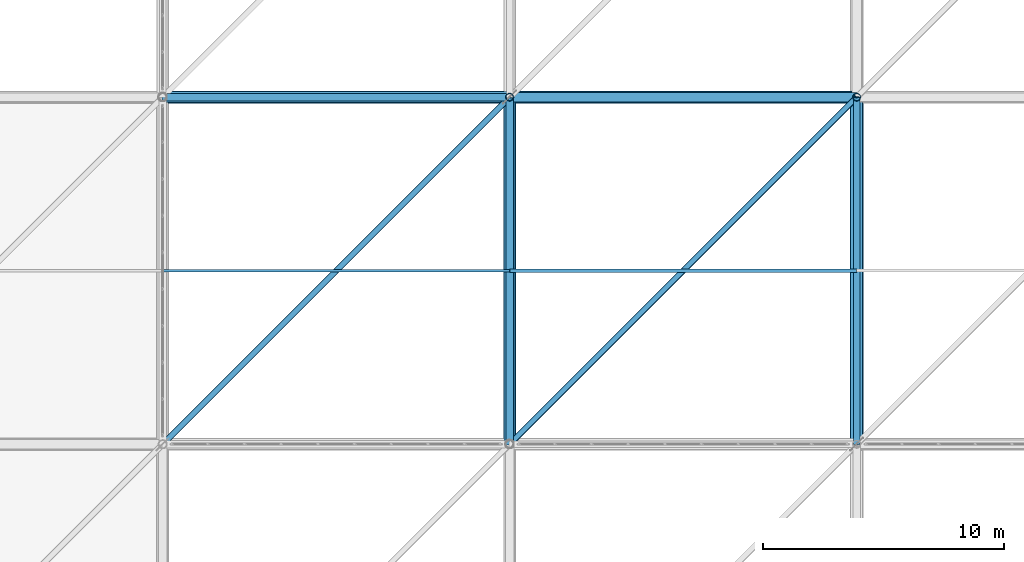
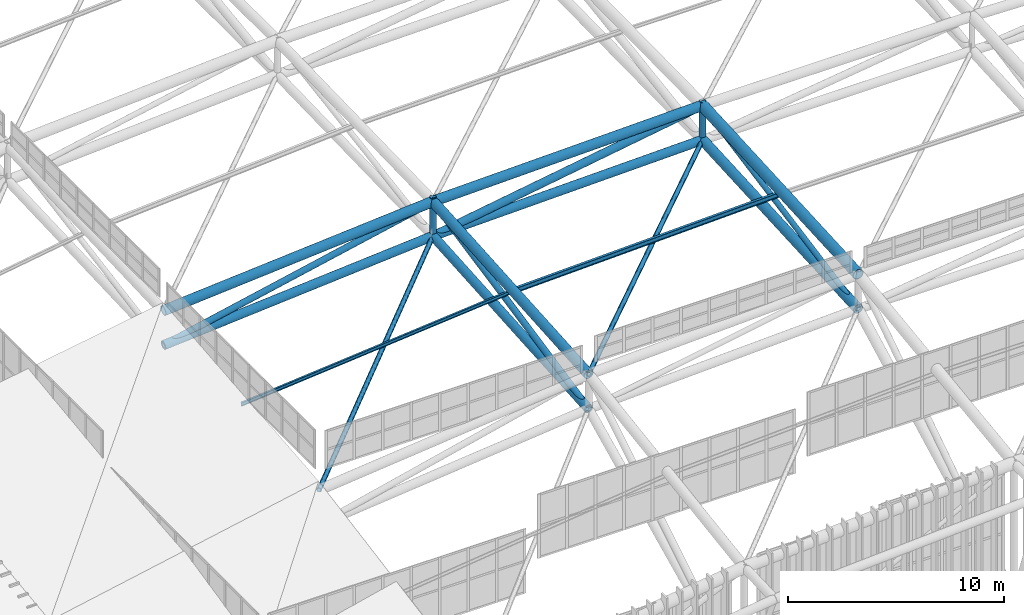
# One storey, part 74 of 397: 10 members, 8 beams.
"""IFC4 building model written with IfcOpenShell, lengths in metres."""

from ifc_helpers import new_model, si_unit, direction, frame, origin, origin_2d, place, context, subcontext, project, spatial, hollow_circle, i_section, extrude, material, material_profile, profile_set, type_object, element, save


model = new_model("IFC4")

# Units and contexts
model_context = context("Model", 3, precision=1e-05, world=origin(), true_north=direction((0.0, 1.0)))
body_context = subcontext(model_context, "Body", "Model", "MODEL_VIEW")
ifc_project = project(units=[si_unit("LENGTHUNIT", "METRE"), si_unit("AREAUNIT", "SQUARE_METRE"), si_unit("VOLUMEUNIT", "CUBIC_METRE"), si_unit("PLANEANGLEUNIT", "RADIAN"), si_unit("MASSUNIT", "GRAM", prefix="KILO")], contexts=[model_context])

# Site, building, storey
site_placement = place(None, origin())
site = spatial("IfcSite", under=ifc_project, at=site_placement, CompositionType="ELEMENT")
building_placement = place(site_placement, origin())
building = spatial("IfcBuilding", under=site, at=building_placement, Name="Qandorah Velis Arena", CompositionType="ELEMENT")
storey_placement = place(building_placement, frame((0.0, 0.0, 27.5)))
storey = spatial("IfcBuildingStorey", under=building, at=storey_placement, Name="RF", CompositionType="ELEMENT", Elevation=27.5)

# Members
ifc_material_1 = material(Name="Steel S355", Category="steel")
ifc_material_profile_1 = material_profile(ifc_material_1, i_section(OverallWidth=0.10009765625, OverallDepth=0.199951171875, WebThickness=0.005615234375, FlangeThickness=0.008544921875, FilletRadius=0.011962890625, at=origin_2d()), Name="IPE 200")
ifc_profile_set_1 = profile_set([ifc_material_profile_1], Name="Steel S355")
member_type_1 = type_object("IfcMemberType", Name="STR-PRL-IPE200", PredefinedType="PURLIN", material=ifc_profile_set_1)
member_1_placement = place(storey_placement, frame((28.800048828125, 36.0, 7.94140625), z_axis=(0.995870339453, 0.0, 0.090786931865), x_axis=(0.0, 1.0, 0.0)))
element("IfcMember", 1, at=member_1_placement, inside=storey, type_object=member_type_1, Name="Arena roof purlin PRL-1.1", PredefinedType="PURLIN", context=body_context, shape_type="SweptSolid", body=[
    extrude(i_section(OverallWidth=0.10009765625, OverallDepth=0.199951171875, WebThickness=0.005615234375, FlangeThickness=0.008544921875, FilletRadius=0.011962890625, at=origin_2d()), origin(), (0.0, 0.0, 1.0), 14.459716796875),
])
ifc_material_profile_2 = material_profile(ifc_material_1, i_section(OverallWidth=0.135009765625, OverallDepth=0.27001953125, WebThickness=0.006591796875, FlangeThickness=0.01025390625, FilletRadius=0.014892578125, at=origin_2d()), Name="IPE 270")
ifc_profile_set_2 = profile_set([ifc_material_profile_2], Name="Steel S355")
member_type_2 = type_object("IfcMemberType", Name="STR-PRL-IPE270", PredefinedType="PURLIN", material=ifc_profile_set_2)
member_2_placement = place(storey_placement, frame((43.199951171875, 36.0, 9.254150390625), z_axis=(0.99941176079, 0.0, 0.034294786699), x_axis=(0.0, 1.0, 0.0)))
element("IfcMember", 2, at=member_2_placement, inside=storey, type_object=member_type_2, Name="Arena roof purlin PRL-2.1", PredefinedType="PURLIN", context=body_context, shape_type="SweptSolid", body=[
    extrude(i_section(OverallWidth=0.135009765625, OverallDepth=0.27001953125, WebThickness=0.006591796875, FlangeThickness=0.01025390625, FilletRadius=0.014892578125, at=origin_2d()), origin(), (0.0, 0.0, 1.0), 14.40869140625),
])

# Beams
ifc_material_profile_3 = material_profile(ifc_material_1, hollow_circle(Radius=0.228515625, WallThickness=0.01611328125, at=origin_2d()), Name="CHS 457x16")
ifc_profile_set_3 = profile_set([ifc_material_profile_3], Name="Steel S355")
beam_type_1 = type_object("IfcBeamType", Name="STR-SFC-CHS457X16", PredefinedType="USERDEFINED", material=ifc_profile_set_3)
beam_1_placement = place(storey_placement, frame((43.199951171875, 28.800048828125, 7.009521484375), z_axis=(0.0, 0.997455093125, 0.0712975259), x_axis=(-1.0, 0.0, 0.0)))
element("IfcBeam", 3, at=beam_1_placement, inside=storey, type_object=beam_type_1, Name="Space frame roof truss bottom chord Y 2.1", ObjectType="ROOF TRUSS", PredefinedType="USERDEFINED", context=body_context, shape_type="SweptSolid", body=[
    extrude(hollow_circle(Radius=0.228515625, WallThickness=0.01611328125, at=origin_2d()), origin(), (0.0, 0.0, 1.0), 14.4365234375),
])
beam_2_placement = place(storey_placement, frame((28.800048828125, 43.199951171875, 6.90771484375), z_axis=(0.996929199686, 0.0, 0.078308178464), x_axis=(0.0, 1.0, 0.0)))
element("IfcBeam", 4, at=beam_2_placement, inside=storey, type_object=beam_type_1, Name="Space frame roof truss bottom chord X 1.2", ObjectType="ROOF TRUSS", PredefinedType="USERDEFINED", context=body_context, shape_type="SweptSolid", body=[
    extrude(hollow_circle(Radius=0.228515625, WallThickness=0.01611328125, at=origin_2d()), origin(), (0.0, 0.0, 1.0), 14.4443359375),
])
beam_3_placement = place(storey_placement, frame((43.199951171875, 43.199951171875, 8.038818359375), z_axis=(0.999643675871, 0.0, 0.026693094442), x_axis=(0.0, 1.0, 0.0)))
element("IfcBeam", 5, at=beam_3_placement, inside=storey, type_object=beam_type_1, Name="Space frame roof truss bottom chord X 2.2", ObjectType="ROOF TRUSS", PredefinedType="USERDEFINED", context=body_context, shape_type="SweptSolid", body=[
    extrude(hollow_circle(Radius=0.228515625, WallThickness=0.01611328125, at=origin_2d()), origin(), (0.0, 0.0, 1.0), 14.4052734375),
])
ifc_material_profile_4 = material_profile(ifc_material_1, hollow_circle(Radius=0.25390625, WallThickness=0.02001953125, at=origin_2d()), Name="CHS 508x20")
ifc_profile_set_4 = profile_set([ifc_material_profile_4], Name="Steel S355")
beam_type_2 = type_object("IfcBeamType", Name="STR-SFC-CHS508X20", PredefinedType="USERDEFINED", material=ifc_profile_set_4)
beam_4_placement = place(storey_placement, frame((43.199951171875, 28.800048828125, 8.95947265625), z_axis=(0.0, 0.997455093125, 0.0712975259), x_axis=(-1.0, 0.0, 0.0)))
element("IfcBeam", 6, at=beam_4_placement, inside=storey, type_object=beam_type_2, Name="Space frame roof truss top chord Y 2.1", ObjectType="ROOF TRUSS", PredefinedType="USERDEFINED", context=body_context, shape_type="SweptSolid", body=[
    extrude(hollow_circle(Radius=0.25390625, WallThickness=0.02001953125, at=origin_2d()), origin(), (0.0, 0.0, 1.0), 14.4365234375),
])
beam_5_placement = place(storey_placement, frame((28.800048828125, 43.199951171875, 8.857666015625), z_axis=(0.996929199686, 0.0, 0.078308178464), x_axis=(0.0, 1.0, 0.0)))
element("IfcBeam", 7, at=beam_5_placement, inside=storey, type_object=beam_type_2, Name="Space frame roof truss top chord X 1.2", ObjectType="ROOF TRUSS", PredefinedType="USERDEFINED", context=body_context, shape_type="SweptSolid", body=[
    extrude(hollow_circle(Radius=0.25390625, WallThickness=0.02001953125, at=origin_2d()), origin(), (0.0, 0.0, 1.0), 14.4443359375),
])
beam_6_placement = place(storey_placement, frame((43.199951171875, 43.199951171875, 9.98876953125), z_axis=(0.999643675871, 0.0, 0.026693094442), x_axis=(0.0, 1.0, 0.0)))
element("IfcBeam", 8, at=beam_6_placement, inside=storey, type_object=beam_type_2, Name="Space frame roof truss top chord X 2.2", ObjectType="ROOF TRUSS", PredefinedType="USERDEFINED", context=body_context, shape_type="SweptSolid", body=[
    extrude(hollow_circle(Radius=0.25390625, WallThickness=0.02001953125, at=origin_2d()), origin(), (0.0, 0.0, 1.0), 14.4052734375),
])
ifc_material_profile_5 = material_profile(ifc_material_1, hollow_circle(Radius=0.25390625, WallThickness=0.02490234375, at=origin_2d()), Name="CHS 508x25")
ifc_profile_set_5 = profile_set([ifc_material_profile_5], Name="Steel S355")
beam_type_3 = type_object("IfcBeamType", Name="STR-SFC-CHS508X25", PredefinedType="USERDEFINED", material=ifc_profile_set_5)
beam_7_placement = place(storey_placement, frame((57.60009765625, 28.800048828125, 7.61328125), z_axis=(0.0, 0.998421463945, 0.056165650832), x_axis=(-1.0, 0.0, 0.0)))
element("IfcBeam", 9, at=beam_7_placement, inside=storey, type_object=beam_type_3, Name="Space frame roof truss bottom chord Y 3.1", ObjectType="ROOF TRUSS", PredefinedType="USERDEFINED", context=body_context, shape_type="SweptSolid", body=[
    extrude(hollow_circle(Radius=0.25390625, WallThickness=0.02490234375, at=origin_2d()), origin(), (0.0, 0.0, 1.0), 14.422607421875),
])
ifc_material_profile_6 = material_profile(ifc_material_1, hollow_circle(Radius=0.279541015625, WallThickness=0.02490234375, at=origin_2d()), Name="CHS 559x25")
ifc_profile_set_6 = profile_set([ifc_material_profile_6], Name="Steel S355")
beam_type_4 = type_object("IfcBeamType", Name="STR-SFC-CHS559X25", PredefinedType="USERDEFINED", material=ifc_profile_set_6)
beam_8_placement = place(storey_placement, frame((57.60009765625, 28.800048828125, 9.563232421875), z_axis=(0.0, 0.998421463945, 0.056165650832), x_axis=(-1.0, 0.0, 0.0)))
element("IfcBeam", 10, at=beam_8_placement, inside=storey, type_object=beam_type_4, Name="Space frame roof truss top chord Y 3.1", ObjectType="ROOF TRUSS", PredefinedType="USERDEFINED", context=body_context, shape_type="SweptSolid", body=[
    extrude(hollow_circle(Radius=0.279541015625, WallThickness=0.02490234375, at=origin_2d()), origin(), (0.0, 0.0, 1.0), 14.422607421875),
])

# Members
ifc_material_profile_7 = material_profile(ifc_material_1, hollow_circle(Radius=0.122314453125, WallThickness=0.012451171875, at=origin_2d()), Name="CHS 244.5x12.5")
ifc_profile_set_7 = profile_set([ifc_material_profile_7], Name="Steel S355")
member_type_3 = type_object("IfcMemberType", Name="STR-SFD-CHS244X12", PredefinedType="STRUT", material=ifc_profile_set_7)
member_3_placement = place(storey_placement, frame((43.199951171875, 43.199951171875, 8.038818359375), z_axis=(-0.7068265646, -0.7068265646, -0.028149869456), x_axis=(0.707106781187, -0.707106781187, 0.0)))
element("IfcMember", 11, at=member_3_placement, inside=storey, type_object=member_type_3, Name="Space frame roof spatial diagonal 1.1", PredefinedType="STRUT", context=body_context, shape_type="SweptSolid", body=[
    extrude(hollow_circle(Radius=0.122314453125, WallThickness=0.012451171875, at=origin_2d()), origin(), (0.0, 0.0, 1.0), 20.37255859375),
])
member_4_placement = place(storey_placement, frame((57.60009765625, 43.199951171875, 8.42333984375), z_axis=(-0.706867857017, -0.706855872753, 0.026317444247), x_axis=(0.707100786953, -0.707112775369, 0.0)))
element("IfcMember", 12, at=member_4_placement, inside=storey, type_object=member_type_3, Name="Space frame roof spatial diagonal 2.1", PredefinedType="STRUT", context=body_context, shape_type="SweptSolid", body=[
    extrude(hollow_circle(Radius=0.122314453125, WallThickness=0.012451171875, at=origin_2d()), origin(), (0.0, 0.0, 1.0), 20.371826171875),
])
ifc_material_profile_8 = material_profile(ifc_material_1, hollow_circle(Radius=0.136474609375, WallThickness=0.012451171875, at=origin_2d()), Name="CHS 273x12.5")
ifc_profile_set_8 = profile_set([ifc_material_profile_8], Name="Steel S355")
member_type_4 = type_object("IfcMemberType", Name="STR-SFD-CHS273X12", PredefinedType="STRUT", material=ifc_profile_set_8)
member_5_placement = place(storey_placement, frame((57.60009765625, 28.800048828125, 7.61328125), z_axis=(0.0, 0.982122652779, 0.188242117759), x_axis=(-1.0, 0.0, 0.0)))
element("IfcMember", 13, at=member_5_placement, inside=storey, type_object=member_type_4, Name="Space frame roof diagonal Y 3.1", PredefinedType="STRUT", context=body_context, shape_type="SweptSolid", body=[
    extrude(hollow_circle(Radius=0.136474609375, WallThickness=0.012451171875, at=origin_2d()), origin(), (0.0, 0.0, 1.0), 14.662109375),
])
ifc_material_profile_9 = material_profile(ifc_material_1, hollow_circle(Radius=0.161865234375, WallThickness=0.012451171875, at=origin_2d()), Name="CHS 323.9x12.5")
ifc_profile_set_9 = profile_set([ifc_material_profile_9], Name="Steel S355")
member_type_5 = type_object("IfcMemberType", Name="STR-SFD-CHS323X12", PredefinedType="CHORD", material=ifc_profile_set_9)
member_6_placement = place(storey_placement, frame((57.60009765625, 43.199951171875, 8.42333984375), z_axis=(0.0, 0.0, 1.0), x_axis=(1.0, 0.0, 0.0)))
element("IfcMember", 14, at=member_6_placement, inside=storey, type_object=member_type_5, Name="Space frame roof vertical post 3.2", PredefinedType="CHORD", context=body_context, shape_type="SweptSolid", body=[
    extrude(hollow_circle(Radius=0.161865234375, WallThickness=0.012451171875, at=origin_2d()), origin(), (0.0, 0.0, 1.0), 2.2099609375),
])
member_7_placement = place(storey_placement, frame((28.800048828125, 43.199951171875, 6.90771484375), z_axis=(0.977866904771, 0.0, 0.209227905771), x_axis=(0.0, 1.0, 0.0)))
element("IfcMember", 15, at=member_7_placement, inside=storey, type_object=member_type_5, Name="Space frame roof diagonal X 1.2", PredefinedType="CHORD", context=body_context, shape_type="SweptSolid", body=[
    extrude(hollow_circle(Radius=0.161865234375, WallThickness=0.012451171875, at=origin_2d()), origin(), (0.0, 0.0, 1.0), 14.725830078125),
])
member_8_placement = place(storey_placement, frame((43.199951171875, 28.800048828125, 7.009521484375), z_axis=(0.0, 0.979260987441, 0.202602859003), x_axis=(-1.0, 0.0, 0.0)))
element("IfcMember", 16, at=member_8_placement, inside=storey, type_object=member_type_5, Name="Space frame roof diagonal Y 2.1", PredefinedType="CHORD", context=body_context, shape_type="SweptSolid", body=[
    extrude(hollow_circle(Radius=0.161865234375, WallThickness=0.012451171875, at=origin_2d()), origin(), (0.0, 0.0, 1.0), 14.704833984375),
])
ifc_material_profile_10 = material_profile(ifc_material_1, hollow_circle(Radius=0.161865234375, WallThickness=0.01611328125, at=origin_2d()), Name="CHS 323.9x16")
ifc_profile_set_10 = profile_set([ifc_material_profile_10], Name="Steel S355")
member_type_6 = type_object("IfcMemberType", Name="STR-SFD-CHS323X16", PredefinedType="CHORD", material=ifc_profile_set_10)
member_9_placement = place(storey_placement, frame((43.199951171875, 43.199951171875, 8.038818359375), z_axis=(0.0, 0.0, 1.0), x_axis=(1.0, 0.0, 0.0)))
element("IfcMember", 17, at=member_9_placement, inside=storey, type_object=member_type_6, Name="Space frame roof vertical post 2.2", PredefinedType="CHORD", context=body_context, shape_type="SweptSolid", body=[
    extrude(hollow_circle(Radius=0.161865234375, WallThickness=0.01611328125, at=origin_2d()), origin(), (0.0, 0.0, 1.0), 2.2099609375),
])
ifc_material_2 = material(Name="Steel S460", Category="steel")
ifc_material_profile_11 = material_profile(ifc_material_2, hollow_circle(Radius=0.203125, WallThickness=0.02001953125, at=origin_2d()), Name="CHS 406.4x20")
ifc_profile_set_11 = profile_set([ifc_material_profile_11], Name="Steel S460")
member_type_7 = type_object("IfcMemberType", Name="STR-SFD-CHS406X20", PredefinedType="STRUT", material=ifc_profile_set_11)
member_10_placement = place(storey_placement, frame((43.199951171875, 43.199951171875, 8.038818359375), z_axis=(0.987112909411, 0.0, 0.160025323225), x_axis=(0.0, 1.0, 0.0)))
element("IfcMember", 18, at=member_10_placement, inside=storey, type_object=member_type_7, Name="Space frame roof diagonal X 2.2", PredefinedType="STRUT", context=body_context, shape_type="SweptSolid", body=[
    extrude(hollow_circle(Radius=0.203125, WallThickness=0.02001953125, at=origin_2d()), origin(), (0.0, 0.0, 1.0), 14.588134765625),
])

save(model, "model.ifc")
